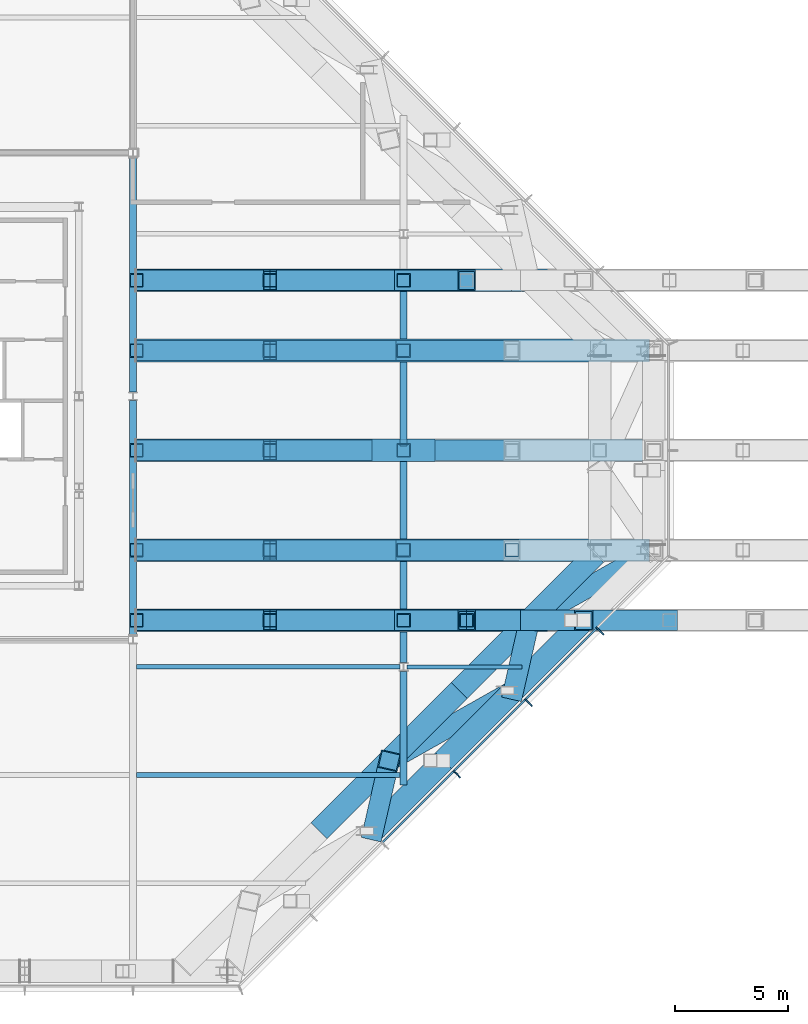
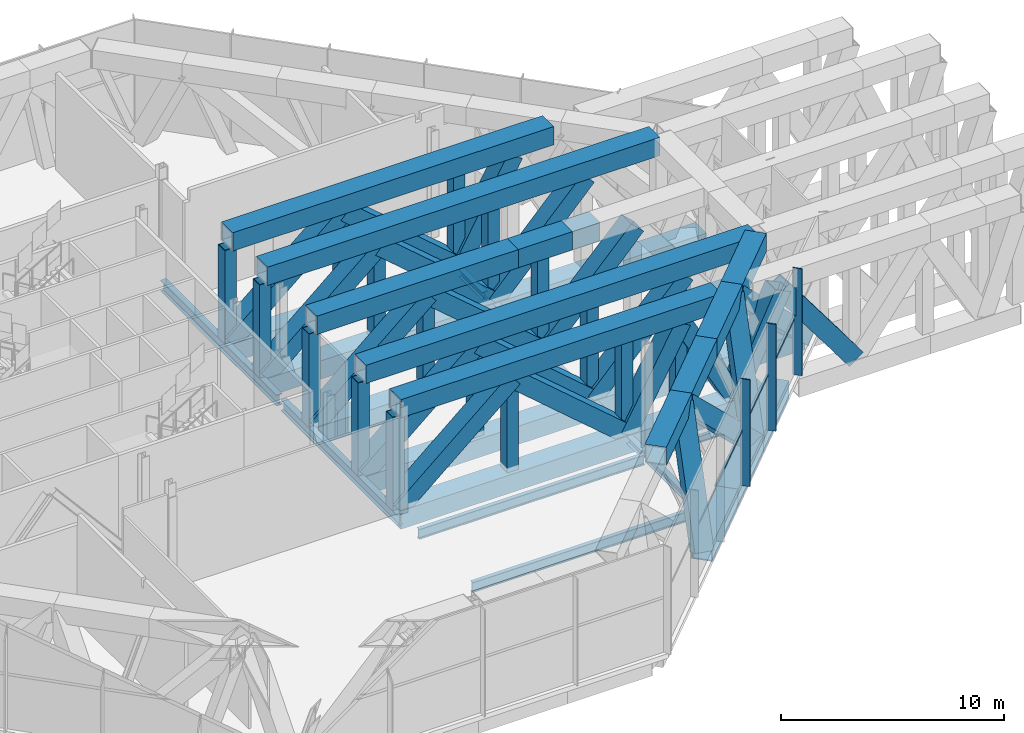
# One storey, part 6 of 18: 52 members, 22 beams, 1 element without a shape of its own.
"""IFC4 building model written with IfcOpenShell, lengths in metres."""

from ifc_helpers import new_model, si_unit, direction, frame, origin, origin_2d, place, context, subcontext, project, spatial, rectangle, hollow_rectangle, i_section, extrude, material, material_profile, profile_set, type_object, element, aggregate, save


model = new_model("IFC4")

# Units and contexts
model_context = context("Model", 3, precision=1e-05, world=origin(), true_north=direction((0.0, 1.0)))
body_context = subcontext(model_context, "Body", "Model", "MODEL_VIEW")
ifc_project = project(units=[si_unit("LENGTHUNIT", "METRE"), si_unit("AREAUNIT", "SQUARE_METRE"), si_unit("VOLUMEUNIT", "CUBIC_METRE"), si_unit("PLANEANGLEUNIT", "RADIAN"), si_unit("MASSUNIT", "GRAM", prefix="KILO")], contexts=[model_context])

# Site, building, storey
site_placement = place(None, origin())
site = spatial("IfcSite", under=ifc_project, at=site_placement, CompositionType="ELEMENT")
building_placement = place(site_placement, origin())
building = spatial("IfcBuilding", under=site, at=building_placement, Name="Cairn Pilgrim Tower", CompositionType="ELEMENT")
storey_placement = place(building_placement, frame((0.0, 0.0, 261.0)))
storey = spatial("IfcBuildingStorey", under=building, at=storey_placement, Name="L67", CompositionType="ELEMENT", Elevation=261.0)

# Members
ifc_material_1 = material(Name="Structural steel S460M", Category="steel")
ifc_material_profile_1 = material_profile(ifc_material_1, hollow_rectangle(XDim=1.0, YDim=1.0, WallThickness=0.06005859375, at=origin_2d()), Name="BOX 1000x1000x60")
ifc_profile_set_1 = profile_set([ifc_material_profile_1], Name="Structural steel S460M")
member_type_1 = type_object("IfcMemberType", Name="BOX 1000x1000x60 CANTILEVER CHORD", PredefinedType="CHORD", material=ifc_profile_set_1)
member_1_placement = place(storey_placement, frame((19.35009765625, -7.539306640625, -0.75), z_axis=(1.0, 0.0, 0.0), x_axis=(0.0, 1.0, 0.0)))
element("IfcMember", 1, at=member_1_placement, inside=storey, type_object=member_type_1, Name="SPS75-BC1", PredefinedType="CHORD", context=body_context, shape_type="SweptSolid", body=[
    extrude(hollow_rectangle(XDim=1.0, YDim=1.0, WallThickness=0.06005859375, at=origin_2d()), origin(), (0.0, 0.0, 1.0), 19.037841796875),
])
member_2_placement = place(storey_placement, frame((19.35009765625, -7.539306640625, 5.35009765625), z_axis=(1.0, 0.0, 0.0), x_axis=(0.0, 1.0, 0.0)))
element("IfcMember", 2, at=member_2_placement, inside=storey, type_object=member_type_1, Name="SPS75-TC1", PredefinedType="CHORD", context=body_context, shape_type="SweptSolid", body=[
    extrude(hollow_rectangle(XDim=1.0, YDim=1.0, WallThickness=0.06005859375, at=origin_2d()), origin(), (0.0, 0.0, 1.0), 16.6376953125),
])
member_3_placement = place(storey_placement, frame((19.35009765625, -4.42724609375, -0.75), z_axis=(1.0, 0.0, 0.0), x_axis=(0.0, 1.0, 0.0)))
element("IfcMember", 3, at=member_3_placement, inside=storey, type_object=member_type_1, Name="SPS-BC1", PredefinedType="CHORD", context=body_context, shape_type="SweptSolid", body=[
    extrude(hollow_rectangle(XDim=1.0, YDim=1.0, WallThickness=0.06005859375, at=origin_2d()), origin(), (0.0, 0.0, 1.0), 22.75),
])
member_4_placement = place(storey_placement, frame((19.35009765625, -4.42724609375, 5.35009765625), z_axis=(1.0, 0.0, 0.0), x_axis=(0.0, 1.0, 0.0)))
element("IfcMember", 4, at=member_4_placement, inside=storey, type_object=member_type_1, Name="SPS-TC1", PredefinedType="CHORD", context=body_context, shape_type="SweptSolid", body=[
    extrude(hollow_rectangle(XDim=1.0, YDim=1.0, WallThickness=0.06005859375, at=origin_2d()), origin(), (0.0, 0.0, 1.0), 20.349853515625),
])
member_5_placement = place(storey_placement, frame((19.35009765625, 0.0, -0.75), z_axis=(1.0, 0.0, 0.0), x_axis=(0.0, 1.0, 0.0)))
element("IfcMember", 5, at=member_5_placement, inside=storey, type_object=member_type_1, Name="SPC-BC1", PredefinedType="CHORD", context=body_context, shape_type="SweptSolid", body=[
    extrude(hollow_rectangle(XDim=1.0, YDim=1.0, WallThickness=0.06005859375, at=origin_2d()), origin(), (0.0, 0.0, 1.0), 22.449951171875),
])
member_6_placement = place(storey_placement, frame((19.35009765625, 0.0, 5.35009765625), z_axis=(1.0, 0.0, 0.0), x_axis=(0.0, 1.0, 0.0)))
element("IfcMember", 6, at=member_6_placement, inside=storey, type_object=member_type_1, Name="SPC-TC1", PredefinedType="CHORD", context=body_context, shape_type="SweptSolid", body=[
    extrude(hollow_rectangle(XDim=1.0, YDim=1.0, WallThickness=0.06005859375, at=origin_2d()), origin(), (0.0, 0.0, 1.0), 10.449951171875),
])
member_7_placement = place(storey_placement, frame((29.800048828125, 0.0, 5.35009765625), z_axis=(1.0, 0.0, 0.0), x_axis=(0.0, 1.0, 0.0)))
element("IfcMember", 7, at=member_7_placement, inside=storey, type_object=member_type_1, Name="SPC-TC2", PredefinedType="CHORD", context=body_context, shape_type="SweptSolid", body=[
    extrude(hollow_rectangle(XDim=1.0, YDim=1.0, WallThickness=0.06005859375, at=origin_2d()), origin(), (0.0, 0.0, 1.0), 2.800048828125),
])
member_8_placement = place(storey_placement, frame((19.35009765625, 4.42724609375, -0.75), z_axis=(1.0, 0.0, 0.0), x_axis=(0.0, 1.0, 0.0)))
element("IfcMember", 8, at=member_8_placement, inside=storey, type_object=member_type_1, Name="SPN-BC1", PredefinedType="CHORD", context=body_context, shape_type="SweptSolid", body=[
    extrude(hollow_rectangle(XDim=1.0, YDim=1.0, WallThickness=0.06005859375, at=origin_2d()), origin(), (0.0, 0.0, 1.0), 22.75),
])
member_9_placement = place(storey_placement, frame((19.35009765625, 4.42724609375, 5.35009765625), z_axis=(1.0, 0.0, 0.0), x_axis=(0.0, 1.0, 0.0)))
element("IfcMember", 9, at=member_9_placement, inside=storey, type_object=member_type_1, Name="SPN-TC1", PredefinedType="CHORD", context=body_context, shape_type="SweptSolid", body=[
    extrude(hollow_rectangle(XDim=1.0, YDim=1.0, WallThickness=0.06005859375, at=origin_2d()), origin(), (0.0, 0.0, 1.0), 20.349853515625),
])
member_10_placement = place(storey_placement, frame((19.35009765625, 7.539306640625, -0.75), z_axis=(1.0, 0.0, 0.0), x_axis=(0.0, 1.0, 0.0)))
element("IfcMember", 10, at=member_10_placement, inside=storey, type_object=member_type_1, Name="SPN75-BC1", PredefinedType="CHORD", context=body_context, shape_type="SweptSolid", body=[
    extrude(hollow_rectangle(XDim=1.0, YDim=1.0, WallThickness=0.06005859375, at=origin_2d()), origin(), (0.0, 0.0, 1.0), 19.037841796875),
])
member_11_placement = place(storey_placement, frame((19.35009765625, 7.539306640625, 5.35009765625), z_axis=(1.0, 0.0, 0.0), x_axis=(0.0, 1.0, 0.0)))
element("IfcMember", 11, at=member_11_placement, inside=storey, type_object=member_type_1, Name="SPN75-TC1", PredefinedType="CHORD", context=body_context, shape_type="SweptSolid", body=[
    extrude(hollow_rectangle(XDim=1.0, YDim=1.0, WallThickness=0.06005859375, at=origin_2d()), origin(), (0.0, 0.0, 1.0), 16.6376953125),
])

# Beams
ifc_material_profile_2 = material_profile(ifc_material_1, hollow_rectangle(XDim=1.0, YDim=1.0, WallThickness=0.06005859375, at=origin_2d()), Name="BOX 1000x1000x60")
ifc_profile_set_2 = profile_set([ifc_material_profile_2], Name="Structural steel S460M")
beam_type_1 = type_object("IfcBeamType", Name="BOX 1000x1000x60 CHORD", PredefinedType="USERDEFINED", material=ifc_profile_set_2)
beam_1_placement = place(storey_placement, frame((29.8515625, -16.875732421875, -0.75), z_axis=(0.707106781187, 0.707106781187, 0.0), x_axis=(-0.707106781187, 0.707106781187, 0.0)))
element("IfcBeam", 12, at=beam_1_placement, inside=storey, type_object=beam_type_1, Name="BT67-SE-BC3", ObjectType="CHORD", PredefinedType="USERDEFINED", context=body_context, shape_type="SweptSolid", body=[
    extrude(hollow_rectangle(XDim=1.0, YDim=1.0, WallThickness=0.06005859375, at=origin_2d()), origin(), (0.0, 0.0, 1.0), 4.401123046875),
])
beam_2_placement = place(storey_placement, frame((27.451416015625, -16.875732421875, 5.35009765625), z_axis=(0.707134515759, 0.707079045527, 0.0), x_axis=(-0.707079045527, 0.707134515759, 0.0)))
element("IfcBeam", 13, at=beam_2_placement, inside=storey, type_object=beam_type_1, Name="BT67-SE-TC3", ObjectType="CHORD", PredefinedType="USERDEFINED", context=body_context, shape_type="SweptSolid", body=[
    extrude(hollow_rectangle(XDim=1.0, YDim=1.0, WallThickness=0.06005859375, at=origin_2d()), origin(), (0.0, 0.0, 1.0), 4.4013671875),
])
for number, where, z_axis, x_axis, name in (
    (14, (32.963623046875, -13.763671875, -0.75), (0.707106781187, 0.707106781187, 0.0), (-0.707106781187, 0.707106781187, 0.0), "BT67-SE-BC4"),
    (15, (30.563720703125, -13.763671875, 5.35009765625), (0.707106781187, 0.707106781187, 0.0), (-0.707106781187, 0.707106781187, 0.0), "BT67-SE-TC4"),
):
    element("IfcBeam", number, at=place(storey_placement, frame(where, z_axis=z_axis, x_axis=x_axis)), inside=storey, type_object=beam_type_1, Name=name, ObjectType="CHORD", PredefinedType="USERDEFINED", context=body_context, shape_type="SweptSolid", body=[
        extrude(hollow_rectangle(XDim=1.0, YDim=1.0, WallThickness=0.06005859375, at=origin_2d()), origin(), (0.0, 0.0, 1.0), 4.401123046875),
    ])
for number, where, z_axis, x_axis, name in (
    (16, (36.07568359375, -10.651611328125, -0.75), (0.707106781187, 0.707106781187, 0.0), (-0.707106781187, 0.707106781187, 0.0), "BT67-SE-BC5"),
    (17, (33.67578125, -10.651611328125, 5.35009765625), (0.707079045527, 0.707134515759, 0.0), (-0.707134515759, 0.707079045527, 0.0), "BT67-SE-TC5"),
):
    element("IfcBeam", number, at=place(storey_placement, frame(where, z_axis=z_axis, x_axis=x_axis)), inside=storey, type_object=beam_type_1, Name=name, ObjectType="CHORD", PredefinedType="USERDEFINED", context=body_context, shape_type="SweptSolid", body=[
        extrude(hollow_rectangle(XDim=1.0, YDim=1.0, WallThickness=0.06005859375, at=origin_2d()), origin(), (0.0, 0.0, 1.0), 4.4013671875),
    ])
beam_3_placement = place(storey_placement, frame((36.787841796875, -7.539306640625, 5.35009765625), z_axis=(0.707106781187, 0.707106781187, 0.0), x_axis=(-0.707106781187, 0.707106781187, 0.0)))
element("IfcBeam", 18, at=beam_3_placement, inside=storey, type_object=beam_type_1, Name="BT67-SE-TC6", ObjectType="CHORD", PredefinedType="USERDEFINED", context=body_context, shape_type="SweptSolid", body=[
    extrude(hollow_rectangle(XDim=1.0, YDim=1.0, WallThickness=0.06005859375, at=origin_2d()), origin(), (0.0, 0.0, 1.0), 4.144287109375),
])

# Members
ifc_material_profile_3 = material_profile(ifc_material_1, hollow_rectangle(XDim=0.60009765625, YDim=0.60009765625, WallThickness=0.034912109375, at=origin_2d()), Name="BOX 600x600x35")
ifc_profile_set_3 = profile_set([ifc_material_profile_3], Name="Structural steel S460M")
member_type_2 = type_object("IfcMemberType", Name="BOX 600x600x35 CANTILEVER POST", PredefinedType="POST", material=ifc_profile_set_3)
for number, where, z_axis, x_axis, name in (
    (19, (19.35009765625, -7.539306640625, -0.25), (0.0, 0.0, 1.0), (1.0, 0.0, 0.0), "SPS75-P1"),
    (20, (25.27490234375, -7.539306640625, -0.25), (0.0, 0.0, 1.0), (1.0, 0.0, 0.0), "SPS75-P2"),
    (21, (31.199951171875, -7.539306640625, -0.25), (0.0, 0.0, 1.0), (1.0, 0.0, 0.0), "SPS75-P3"),
    (22, (34.0, -7.539306640625, -0.25), (0.0, 0.0, 1.0), (1.0, 0.0, 0.0), "SPS75-P4"),
    (23, (19.35009765625, -4.42724609375, -0.25), (0.0, 0.0, 1.0), (1.0, 0.0, 0.0), "SPS-P1"),
    (24, (25.27490234375, -4.42724609375, -0.25), (0.0, 0.0, 1.0), (1.0, 0.0, 0.0), "SPS-P2"),
    (25, (31.199951171875, -4.42724609375, -0.25), (0.0, 0.0, 1.0), (1.0, 0.0, 0.0), "SPS-P3"),
    (26, (36.0, -4.42724609375, -0.25), (0.0, 0.0, 1.0), (1.0, 0.0, 0.0), "SPS-P4"),
    (27, (19.35009765625, 0.0, -0.25), (0.0, 0.0, 1.0), (1.0, 0.0, 0.0), "SPC-P1"),
    (28, (25.27490234375, 0.0, -0.25), (0.0, 0.0, 1.0), (1.0, 0.0, 0.0), "SPC-P2"),
    (29, (31.199951171875, 0.0, -0.25), (0.0, 0.0, 1.0), (1.0, 0.0, 0.0), "SPC-P3"),
    (30, (19.35009765625, 4.42724609375, -0.25), (0.0, 0.0, 1.0), (1.0, 0.0, 0.0), "SPN-P1"),
    (31, (25.27490234375, 4.42724609375, -0.25), (0.0, 0.0, 1.0), (1.0, 0.0, 0.0), "SPN-P2"),
    (32, (31.199951171875, 4.42724609375, -0.25), (0.0, 0.0, 1.0), (1.0, 0.0, 0.0), "SPN-P3"),
    (33, (19.35009765625, 7.539306640625, -0.25), (0.0, 0.0, 1.0), (1.0, 0.0, 0.0), "SPN75-P1"),
    (34, (25.27490234375, 7.539306640625, -0.25), (0.0, 0.0, 1.0), (1.0, 0.0, 0.0), "SPN75-P2"),
    (35, (31.199951171875, 7.539306640625, -0.25), (0.0, 0.0, 1.0), (1.0, 0.0, 0.0), "SPN75-P3"),
):
    element("IfcMember", number, at=place(storey_placement, frame(where, z_axis=z_axis, x_axis=x_axis)), inside=storey, type_object=member_type_2, Name=name, PredefinedType="POST", context=body_context, shape_type="SweptSolid", body=[
        extrude(hollow_rectangle(XDim=0.60009765625, YDim=0.60009765625, WallThickness=0.034912109375, at=origin_2d()), origin(), (0.0, 0.0, 1.0), 5.10009765625),
    ])
ifc_material_profile_4 = material_profile(ifc_material_1, hollow_rectangle(XDim=0.89990234375, YDim=0.89990234375, WallThickness=0.050048828125, at=origin_2d()), Name="BOX 900x900x50")
ifc_profile_set_4 = profile_set([ifc_material_profile_4], Name="Structural steel S460M")
member_type_3 = type_object("IfcMemberType", Name="BOX 900x900x50 CANTILEVER DIAGONAL", PredefinedType="BRACE", material=ifc_profile_set_4)
for number, where, z_axis, x_axis, name in (
    (36, (19.35009765625, -7.539306640625, -0.25), (0.757883747095, 0.0, 0.652389627362), (0.0, 1.0, 0.0), "SPS75-D1"),
    (37, (25.27490234375, -7.539306640625, 4.85009765625), (0.75789703839, 0.0, -0.652374186491), (0.0, 1.0, 0.0), "SPS75-D2"),
):
    element("IfcMember", number, at=place(storey_placement, frame(where, z_axis=z_axis, x_axis=x_axis)), inside=storey, type_object=member_type_3, Name=name, PredefinedType="BRACE", context=body_context, shape_type="SweptSolid", body=[
        extrude(hollow_rectangle(XDim=0.89990234375, YDim=0.89990234375, WallThickness=0.050048828125, at=origin_2d()), origin(), (0.0, 0.0, 1.0), 7.817626953125),
    ])
member_12_placement = place(storey_placement, frame((31.199951171875, -7.539306640625, -0.25), z_axis=(0.481258179979, 0.0, 0.876578897877), x_axis=(0.0, 1.0, 0.0)))
element("IfcMember", 38, at=member_12_placement, inside=storey, type_object=member_type_3, Name="SPS75-D3", PredefinedType="BRACE", context=body_context, shape_type="SweptSolid", body=[
    extrude(hollow_rectangle(XDim=0.89990234375, YDim=0.89990234375, WallThickness=0.050048828125, at=origin_2d()), origin(), (0.0, 0.0, 1.0), 5.818115234375),
])
member_13_placement = place(storey_placement, frame((34.0, -7.539306640625, 4.85009765625), z_axis=(0.47964359085, 0.0, -0.877463404226), x_axis=(0.0, 1.0, 0.0)))
element("IfcMember", 39, at=member_13_placement, inside=storey, type_object=member_type_3, Name="SPS75-D4", PredefinedType="BRACE", context=body_context, shape_type="SweptSolid", body=[
    extrude(hollow_rectangle(XDim=0.89990234375, YDim=0.89990234375, WallThickness=0.050048828125, at=origin_2d()), origin(), (0.0, 0.0, 1.0), 5.812255859375),
])
member_14_placement = place(storey_placement, frame((36.787841796875, -7.539306640625, -0.25), z_axis=(0.425811637593, 0.0, 0.904811830874), x_axis=(0.0, 1.0, 0.0)))
element("IfcMember", 40, at=member_14_placement, inside=storey, type_object=member_type_3, Name="SPS75-D5", PredefinedType="BRACE", context=body_context, shape_type="SweptSolid", body=[
    extrude(hollow_rectangle(XDim=0.89990234375, YDim=0.89990234375, WallThickness=0.050048828125, at=origin_2d()), origin(), (0.0, 0.0, 1.0), 5.63671875),
])
member_15_placement = place(storey_placement, frame((39.18798828125, -7.539306640625, 4.85009765625), z_axis=(0.597478902646, 0.0, -0.801884630663), x_axis=(0.0, 1.0, 0.0)))
element("IfcMember", 41, at=member_15_placement, inside=storey, type_object=member_type_3, Name="SPS75-D6", PredefinedType="BRACE", context=body_context, shape_type="SweptSolid", body=[
    extrude(hollow_rectangle(XDim=0.89990234375, YDim=0.89990234375, WallThickness=0.050048828125, at=origin_2d()), origin(), (0.0, 0.0, 1.0), 6.360107421875),
])
for number, where, z_axis, x_axis, name in (
    (42, (19.35009765625, -4.42724609375, -0.25), (0.757883747095, 0.0, 0.652389627362), (0.0, 1.0, 0.0), "SPS-D1"),
    (43, (25.27490234375, -4.42724609375, 4.85009765625), (0.75789703839, 0.0, -0.652374186491), (0.0, 1.0, 0.0), "SPS-D2"),
):
    element("IfcMember", number, at=place(storey_placement, frame(where, z_axis=z_axis, x_axis=x_axis)), inside=storey, type_object=member_type_3, Name=name, PredefinedType="BRACE", context=body_context, shape_type="SweptSolid", body=[
        extrude(hollow_rectangle(XDim=0.89990234375, YDim=0.89990234375, WallThickness=0.050048828125, at=origin_2d()), origin(), (0.0, 0.0, 1.0), 7.817626953125),
    ])
member_16_placement = place(storey_placement, frame((31.199951171875, -4.42724609375, -0.25), z_axis=(0.68536143697, 0.0, 0.72820306283), x_axis=(0.0, 1.0, 0.0)))
element("IfcMember", 44, at=member_16_placement, inside=storey, type_object=member_type_3, Name="SPS-D3", PredefinedType="BRACE", context=body_context, shape_type="SweptSolid", body=[
    extrude(hollow_rectangle(XDim=0.89990234375, YDim=0.89990234375, WallThickness=0.050048828125, at=origin_2d()), origin(), (0.0, 0.0, 1.0), 7.003662109375),
])
for number, where, z_axis, x_axis, name in (
    (45, (19.35009765625, 0.0, -0.25), (0.757883747095, 0.0, 0.652389627362), (0.0, 1.0, 0.0), "SPC-D1"),
    (46, (25.27490234375, 0.0, 4.85009765625), (0.75789703839, 0.0, -0.652374186491), (0.0, 1.0, 0.0), "SPC-D2"),
):
    element("IfcMember", number, at=place(storey_placement, frame(where, z_axis=z_axis, x_axis=x_axis)), inside=storey, type_object=member_type_3, Name=name, PredefinedType="BRACE", context=body_context, shape_type="SweptSolid", body=[
        extrude(hollow_rectangle(XDim=0.89990234375, YDim=0.89990234375, WallThickness=0.050048828125, at=origin_2d()), origin(), (0.0, 0.0, 1.0), 7.817626953125),
    ])
member_17_placement = place(storey_placement, frame((31.199951171875, 0.0, -0.25), z_axis=(0.68536143697, 0.0, 0.72820306283), x_axis=(0.0, 1.0, 0.0)))
element("IfcMember", 47, at=member_17_placement, inside=storey, type_object=member_type_3, Name="SPC-D3", PredefinedType="BRACE", context=body_context, shape_type="SweptSolid", body=[
    extrude(hollow_rectangle(XDim=0.89990234375, YDim=0.89990234375, WallThickness=0.050048828125, at=origin_2d()), origin(), (0.0, 0.0, 1.0), 7.003662109375),
])
for number, where, z_axis, x_axis, name in (
    (48, (19.35009765625, 4.42724609375, -0.25), (0.757883747095, 0.0, 0.652389627362), (0.0, 1.0, 0.0), "SPN-D1"),
    (49, (25.27490234375, 4.42724609375, 4.85009765625), (0.75789703839, 0.0, -0.652374186491), (0.0, 1.0, 0.0), "SPN-D2"),
):
    element("IfcMember", number, at=place(storey_placement, frame(where, z_axis=z_axis, x_axis=x_axis)), inside=storey, type_object=member_type_3, Name=name, PredefinedType="BRACE", context=body_context, shape_type="SweptSolid", body=[
        extrude(hollow_rectangle(XDim=0.89990234375, YDim=0.89990234375, WallThickness=0.050048828125, at=origin_2d()), origin(), (0.0, 0.0, 1.0), 7.817626953125),
    ])
member_18_placement = place(storey_placement, frame((31.199951171875, 4.42724609375, -0.25), z_axis=(0.68536143697, 0.0, 0.72820306283), x_axis=(0.0, 1.0, 0.0)))
element("IfcMember", 50, at=member_18_placement, inside=storey, type_object=member_type_3, Name="SPN-D3", PredefinedType="BRACE", context=body_context, shape_type="SweptSolid", body=[
    extrude(hollow_rectangle(XDim=0.89990234375, YDim=0.89990234375, WallThickness=0.050048828125, at=origin_2d()), origin(), (0.0, 0.0, 1.0), 7.003662109375),
])
for number, where, z_axis, x_axis, name in (
    (51, (19.35009765625, 7.539306640625, -0.25), (0.757883747095, 0.0, 0.652389627362), (0.0, 1.0, 0.0), "SPN75-D1"),
    (52, (25.27490234375, 7.539306640625, 4.85009765625), (0.75789703839, 0.0, -0.652374186491), (0.0, 1.0, 0.0), "SPN75-D2"),
):
    element("IfcMember", number, at=place(storey_placement, frame(where, z_axis=z_axis, x_axis=x_axis)), inside=storey, type_object=member_type_3, Name=name, PredefinedType="BRACE", context=body_context, shape_type="SweptSolid", body=[
        extrude(hollow_rectangle(XDim=0.89990234375, YDim=0.89990234375, WallThickness=0.050048828125, at=origin_2d()), origin(), (0.0, 0.0, 1.0), 7.817626953125),
    ])
member_19_placement = place(storey_placement, frame((31.199951171875, 7.539306640625, -0.25), z_axis=(0.481258179979, 0.0, 0.876578897877), x_axis=(0.0, 1.0, 0.0)))
element("IfcMember", 53, at=member_19_placement, inside=storey, type_object=member_type_3, Name="SPN75-D3", PredefinedType="BRACE", context=body_context, shape_type="SweptSolid", body=[
    extrude(hollow_rectangle(XDim=0.89990234375, YDim=0.89990234375, WallThickness=0.050048828125, at=origin_2d()), origin(), (0.0, 0.0, 1.0), 5.818115234375),
])

# Beams
ifc_material_profile_5 = material_profile(ifc_material_1, hollow_rectangle(XDim=0.89990234375, YDim=0.89990234375, WallThickness=0.050048828125, at=origin_2d()), Name="BOX 900x900x50")
ifc_profile_set_5 = profile_set([ifc_material_profile_5], Name="Structural steel S460M")
beam_type_2 = type_object("IfcBeamType", Name="BOX 900x900x50 DIAGONAL", PredefinedType="USERDEFINED", material=ifc_profile_set_5)
beam_4_placement = place(storey_placement, frame((29.8515625, -16.875732421875, -0.75), z_axis=(0.103436133361, 0.452005619457, 0.885997678493), x_axis=(-0.974801995546, 0.223071893073, 0.0)))
element("IfcBeam", 54, at=beam_4_placement, inside=storey, type_object=beam_type_2, Name="BT67-SE-D3", ObjectType="DIAGONAL", PredefinedType="USERDEFINED", context=body_context, shape_type="SweptSolid", body=[
    extrude(hollow_rectangle(XDim=0.89990234375, YDim=0.89990234375, WallThickness=0.050048828125, at=origin_2d()), origin(), (0.0, 0.0, 1.0), 6.885009765625),
])
beam_5_placement = place(storey_placement, frame((30.563720703125, -13.763671875, 5.35009765625), z_axis=(0.627016222938, 0.354014075997, -0.693919800963), x_axis=(-0.491650506042, 0.870792615902, 0.0)))
element("IfcBeam", 55, at=beam_5_placement, inside=storey, type_object=beam_type_2, Name="BT67-SE-D4", ObjectType="DIAGONAL", PredefinedType="USERDEFINED", context=body_context, shape_type="SweptSolid", body=[
    extrude(hollow_rectangle(XDim=0.89990234375, YDim=0.89990234375, WallThickness=0.050048828125, at=origin_2d()), origin(), (0.0, 0.0, 1.0), 8.790771484375),
])
beam_6_placement = place(storey_placement, frame((36.07568359375, -10.651611328125, -0.75), z_axis=(0.10343447546, 0.452033833791, 0.885983477495), x_axis=(-0.974805800501, 0.223055265145, 0.0)))
element("IfcBeam", 56, at=beam_6_placement, inside=storey, type_object=beam_type_2, Name="BT67-SE-D5", ObjectType="DIAGONAL", PredefinedType="USERDEFINED", context=body_context, shape_type="SweptSolid", body=[
    extrude(hollow_rectangle(XDim=0.89990234375, YDim=0.89990234375, WallThickness=0.050048828125, at=origin_2d()), origin(), (0.0, 0.0, 1.0), 6.885009765625),
])
beam_7_placement = place(storey_placement, frame((36.787841796875, -7.539306640625, 5.35009765625), z_axis=(0.627033076163, 0.354007911323, -0.693907717292), x_axis=(-0.491633993745, 0.870801938557, 0.0)))
element("IfcBeam", 57, at=beam_7_placement, inside=storey, type_object=beam_type_2, Name="BT67-SE-D6", ObjectType="DIAGONAL", PredefinedType="USERDEFINED", context=body_context, shape_type="SweptSolid", body=[
    extrude(hollow_rectangle(XDim=0.89990234375, YDim=0.89990234375, WallThickness=0.050048828125, at=origin_2d()), origin(), (0.0, 0.0, 1.0), 8.791015625),
])

# Curtain wall, members
ifc_material_2 = material(Name="Aluminium alloy 6063-T6 bronze anodised with Bronze tinted laminated low-E glass 8+16+8.8", Category="aluminium")
curtain_wall_type = type_object("IfcCurtainWallType", Name="PLANT LOUVRE CURTAIN WALL", PredefinedType="NOTDEFINED", material=ifc_material_2)
curtain_wall_placement = place(storey_placement, origin())
curtain_wall = element("IfcCurtainWall", 58, at=curtain_wall_placement, inside=storey, type_object=curtain_wall_type, Name="Plant Louvre Curtain Wall SE", PredefinedType="NOTDEFINED")
ifc_material_3 = material(Name="Aluminium alloy 6063-T6 bronze anodised", Category="aluminium")
ifc_material_profile_6 = material_profile(ifc_material_3, rectangle(XDim=0.449951171875, YDim=0.06005859375, at=origin_2d()), Name="FIN MULLION 60x450 BRONZE")
ifc_profile_set_6 = profile_set([ifc_material_profile_6], Name="Aluminium alloy 6063-T6 bronze anodised")
member_type_4 = type_object("IfcMemberType", Name="FIN MULLION 60x450 BRONZE", PredefinedType="MULLION", material=ifc_profile_set_6)
member_20_placement = place(storey_placement, frame((33.56103515625, -14.361083984375, 0.0), z_axis=(0.0, 0.0, 1.0), x_axis=(0.707106781187, -0.707106781187, 0.0)))
member_20 = element("IfcMember", 59, at=member_20_placement, type_object=member_type_4, Name="Fin mullion SE4", PredefinedType="MULLION", context=body_context, shape_type="SweptSolid", body=[
    extrude(rectangle(XDim=0.449951171875, YDim=0.06005859375, at=origin_2d()), origin(), (0.0, 0.0, 1.0), 5.85009765625),
])
member_21_placement = place(storey_placement, frame((36.73681640625, -11.185546875, 0.0), z_axis=(0.0, 0.0, 1.0), x_axis=(0.707106781187, -0.707106781187, 0.0)))
member_21 = element("IfcMember", 60, at=member_21_placement, type_object=member_type_4, Name="Fin mullion SE5", PredefinedType="MULLION", context=body_context, shape_type="SweptSolid", body=[
    extrude(rectangle(XDim=0.449951171875, YDim=0.06005859375, at=origin_2d()), origin(), (0.0, 0.0, 1.0), 5.85009765625),
])
member_22_placement = place(storey_placement, frame((39.912353515625, -8.010009765625, 0.0), z_axis=(0.0, 0.0, 1.0), x_axis=(0.707106781187, -0.707106781187, 0.0)))
member_22 = element("IfcMember", 61, at=member_22_placement, type_object=member_type_4, Name="Fin mullion SE6", PredefinedType="MULLION", context=body_context, shape_type="SweptSolid", body=[
    extrude(rectangle(XDim=0.449951171875, YDim=0.06005859375, at=origin_2d()), origin(), (0.0, 0.0, 1.0), 5.85009765625),
])

# Beams
ifc_material_4 = material(Name="Structural steel S355J2", Category="steel")
ifc_material_profile_7 = material_profile(ifc_material_4, i_section(OverallWidth=0.300048828125, OverallDepth=0.39990234375, WebThickness=0.013427734375, FlangeThickness=0.02392578125, FilletRadius=0.027099609375, at=origin_2d()), Name="HEB 400")
ifc_profile_set_7 = profile_set([ifc_material_profile_7], Name="Structural steel S355J2")
beam_type_3 = type_object("IfcBeamType", Name="HEB 400 GIRDER", PredefinedType="BEAM", material=ifc_profile_set_7)
beam_8_placement = place(storey_placement, frame((31.199951171875, -14.85009765625, -0.449951171875), z_axis=(0.0, 1.0, 0.0), x_axis=(-1.0, 0.0, 0.0)))
element("IfcBeam", 62, at=beam_8_placement, inside=storey, type_object=beam_type_3, Name="PG5-1", PredefinedType="BEAM", context=body_context, shape_type="SweptSolid", body=[
    extrude(i_section(OverallWidth=0.300048828125, OverallDepth=0.39990234375, WebThickness=0.013427734375, FlangeThickness=0.02392578125, FilletRadius=0.027099609375, at=origin_2d()), origin(), (0.0, 0.0, 1.0), 5.052978515625),
])
beam_9_placement = place(storey_placement, frame((31.199951171875, -9.403076171875, -0.449951171875), z_axis=(0.0, 1.0, 0.0), x_axis=(-1.0, 0.0, 0.0)))
element("IfcBeam", 63, at=beam_9_placement, inside=storey, type_object=beam_type_3, Name="PG5-E1", PredefinedType="BEAM", context=body_context, shape_type="SweptSolid", body=[
    extrude(i_section(OverallWidth=0.300048828125, OverallDepth=0.39990234375, WebThickness=0.013427734375, FlangeThickness=0.02392578125, FilletRadius=0.027099609375, at=origin_2d()), origin(), (0.0, 0.0, 1.0), 1.35888671875),
])
beam_10_placement = place(storey_placement, frame((31.199951171875, -7.0341796875, -0.449951171875), z_axis=(0.0, 1.0, 0.0), x_axis=(-1.0, 0.0, 0.0)))
element("IfcBeam", 64, at=beam_10_placement, inside=storey, type_object=beam_type_3, Name="PG5-2", PredefinedType="BEAM", context=body_context, shape_type="SweptSolid", body=[
    extrude(i_section(OverallWidth=0.300048828125, OverallDepth=0.39990234375, WebThickness=0.013427734375, FlangeThickness=0.02392578125, FilletRadius=0.027099609375, at=origin_2d()), origin(), (0.0, 0.0, 1.0), 2.10205078125),
])
beam_11_placement = place(storey_placement, frame((31.199951171875, -3.922119140625, -0.449951171875), z_axis=(0.0, 1.0, 0.0), x_axis=(-1.0, 0.0, 0.0)))
element("IfcBeam", 65, at=beam_11_placement, inside=storey, type_object=beam_type_3, Name="PG5-3", PredefinedType="BEAM", context=body_context, shape_type="SweptSolid", body=[
    extrude(i_section(OverallWidth=0.300048828125, OverallDepth=0.39990234375, WebThickness=0.013427734375, FlangeThickness=0.02392578125, FilletRadius=0.027099609375, at=origin_2d()), origin(), (0.0, 0.0, 1.0), 3.417236328125),
])
beam_12_placement = place(storey_placement, frame((31.199951171875, 0.199462890625, -0.449951171875), z_axis=(0.0, 1.0, 0.0), x_axis=(-1.0, 0.0, 0.0)))
element("IfcBeam", 66, at=beam_12_placement, inside=storey, type_object=beam_type_3, Name="PG5-4", PredefinedType="BEAM", context=body_context, shape_type="SweptSolid", body=[
    extrude(i_section(OverallWidth=0.300048828125, OverallDepth=0.39990234375, WebThickness=0.013427734375, FlangeThickness=0.02392578125, FilletRadius=0.027099609375, at=origin_2d()), origin(), (0.0, 0.0, 1.0), 3.72265625),
])
beam_13_placement = place(storey_placement, frame((31.199951171875, 4.93212890625, -0.449951171875), z_axis=(0.0, 1.0, 0.0), x_axis=(-1.0, 0.0, 0.0)))
element("IfcBeam", 67, at=beam_13_placement, inside=storey, type_object=beam_type_3, Name="PG5-5", PredefinedType="BEAM", context=body_context, shape_type="SweptSolid", body=[
    extrude(i_section(OverallWidth=0.300048828125, OverallDepth=0.39990234375, WebThickness=0.013427734375, FlangeThickness=0.02392578125, FilletRadius=0.027099609375, at=origin_2d()), origin(), (0.0, 0.0, 1.0), 2.10205078125),
])
ifc_material_profile_8 = material_profile(ifc_material_4, i_section(OverallWidth=0.300048828125, OverallDepth=0.60009765625, WebThickness=0.015380859375, FlangeThickness=0.030029296875, FilletRadius=0.027099609375, at=origin_2d()), Name="HEB 600")
ifc_profile_set_8 = profile_set([ifc_material_profile_8], Name="Structural steel S355J2")
beam_type_4 = type_object("IfcBeamType", Name="HEB 600 GIRDER", PredefinedType="BEAM", material=ifc_profile_set_8)
beam_14_placement = place(storey_placement, frame((19.199951171875, -8.202880859375, -0.550048828125), z_axis=(0.0, 1.0, 0.0), x_axis=(-1.0, 0.0, 0.0)))
element("IfcBeam", 68, at=beam_14_placement, inside=storey, type_object=beam_type_4, Name="PG4-2", PredefinedType="BEAM", context=body_context, shape_type="SweptSolid", body=[
    extrude(i_section(OverallWidth=0.300048828125, OverallDepth=0.60009765625, WebThickness=0.015380859375, FlangeThickness=0.030029296875, FilletRadius=0.027099609375, at=origin_2d()), origin(), (0.0, 0.0, 1.0), 10.40576171875),
])
beam_15_placement = place(storey_placement, frame((19.199951171875, 2.596923828125, -0.550048828125), z_axis=(0.0, 1.0, 0.0), x_axis=(-1.0, 0.0, 0.0)))
element("IfcBeam", 69, at=beam_15_placement, inside=storey, type_object=beam_type_4, Name="PG4-3", PredefinedType="BEAM", context=body_context, shape_type="SweptSolid", body=[
    extrude(i_section(OverallWidth=0.300048828125, OverallDepth=0.60009765625, WebThickness=0.015380859375, FlangeThickness=0.030029296875, FilletRadius=0.027099609375, at=origin_2d()), origin(), (0.0, 0.0, 1.0), 10.406005859375),
])
ifc_material_profile_9 = material_profile(ifc_material_4, i_section(OverallWidth=0.169921875, OverallDepth=0.360107421875, WebThickness=0.008056640625, FlangeThickness=0.0126953125, FilletRadius=0.01806640625, at=origin_2d()), Name="IPE 360")
ifc_profile_set_9 = profile_set([ifc_material_profile_9], Name="Structural steel S355J2")
beam_type_5 = type_object("IfcBeamType", Name="IPE 360 SECONDARY BEAM", PredefinedType="JOIST", material=ifc_profile_set_9)
beam_16_placement = place(storey_placement, frame((31.35009765625, -9.60009765625, -0.429931640625), z_axis=(1.0, 0.0, 0.0), x_axis=(0.0, 1.0, 0.0)))
element("IfcBeam", 70, at=beam_16_placement, inside=storey, type_object=beam_type_5, Name="SB3-3", PredefinedType="JOIST", context=body_context, shape_type="SweptSolid", body=[
    extrude(i_section(OverallWidth=0.169921875, OverallDepth=0.360107421875, WebThickness=0.008056640625, FlangeThickness=0.0126953125, FilletRadius=0.01806640625, at=origin_2d()), origin(), (0.0, 0.0, 1.0), 5.10009765625),
])
ifc_material_profile_10 = material_profile(ifc_material_4, i_section(OverallWidth=0.2099609375, OverallDepth=0.550048828125, WebThickness=0.010986328125, FlangeThickness=0.01708984375, FilletRadius=0.02392578125, at=origin_2d()), Name="IPE 550")
ifc_profile_set_10 = profile_set([ifc_material_profile_10], Name="Structural steel S355J2")
beam_type_6 = type_object("IfcBeamType", Name="IPE 550 SECONDARY BEAM", PredefinedType="JOIST", material=ifc_profile_set_10)
for number, where, z_axis, x_axis, name in (
    (71, (19.35009765625, -14.39990234375, -0.52490234375), (1.0, 0.0, 0.0), (0.0, 1.0, 0.0), "SB2-3"),
    (72, (19.35009765625, -9.60009765625, -0.52490234375), (1.0, 0.0, 0.0), (0.0, 1.0, 0.0), "SB3-2"),
):
    element("IfcBeam", number, at=place(storey_placement, frame(where, z_axis=z_axis, x_axis=x_axis)), inside=storey, type_object=beam_type_6, Name=name, PredefinedType="JOIST", context=body_context, shape_type="SweptSolid", body=[
        extrude(i_section(OverallWidth=0.2099609375, OverallDepth=0.550048828125, WebThickness=0.010986328125, FlangeThickness=0.01708984375, FilletRadius=0.02392578125, at=origin_2d()), origin(), (0.0, 0.0, 1.0), 11.699951171875),
    ])

# Member
ifc_material_profile_11 = material_profile(ifc_material_3, rectangle(XDim=0.080078125, YDim=0.14990234375, at=origin_2d()), Name="TRANSOM 80x150 BRONZE")
ifc_profile_set_11 = profile_set([ifc_material_profile_11], Name="Aluminium alloy 6063-T6 bronze anodised")
member_type_5 = type_object("IfcMemberType", Name="TRANSOM 80x150 BRONZE", PredefinedType="USERDEFINED", material=ifc_profile_set_11)
member_23_placement = place(storey_placement, frame((30.268798828125, -17.377685546875, 3.0), z_axis=(0.707106781187, 0.707106781187, 0.0), x_axis=(-0.707106781187, 0.707106781187, 0.0)))
member_23 = element("IfcMember", 73, at=member_23_placement, type_object=member_type_5, Name="Transom SE3", ObjectType="TRANSOM", PredefinedType="USERDEFINED", context=body_context, shape_type="SweptSolid", body=[
    extrude(rectangle(XDim=0.080078125, YDim=0.14990234375, at=origin_2d()), origin(), (0.0, 0.0, 1.0), 4.43115234375),
])

member_24_placement = place(storey_placement, frame((33.4443359375, -14.201904296875, 3.0), z_axis=(0.707134329907, 0.707079231393, 0.0), x_axis=(-0.707079231393, 0.707134329907, 0.0)))
member_24 = element("IfcMember", 74, at=member_24_placement, type_object=member_type_5, Name="Transom SE4", ObjectType="TRANSOM", PredefinedType="USERDEFINED", context=body_context, shape_type="SweptSolid", body=[
    extrude(rectangle(XDim=0.080078125, YDim=0.14990234375, at=origin_2d()), origin(), (0.0, 0.0, 1.0), 4.430908203125),
])

member_25_placement = place(storey_placement, frame((36.6201171875, -11.0263671875, 3.0), z_axis=(0.707106781187, 0.707106781187, 0.0), x_axis=(-0.707106781187, 0.707106781187, 0.0)))
member_25 = element("IfcMember", 75, at=member_25_placement, type_object=member_type_5, Name="Transom SE5", ObjectType="TRANSOM", PredefinedType="USERDEFINED", context=body_context, shape_type="SweptSolid", body=[
    extrude(rectangle(XDim=0.080078125, YDim=0.14990234375, at=origin_2d()), origin(), (0.0, 0.0, 1.0), 4.430908203125),
])

aggregate(curtain_wall, [member_20, member_21, member_22, member_23, member_24, member_25])

save(model, "model.ifc")
